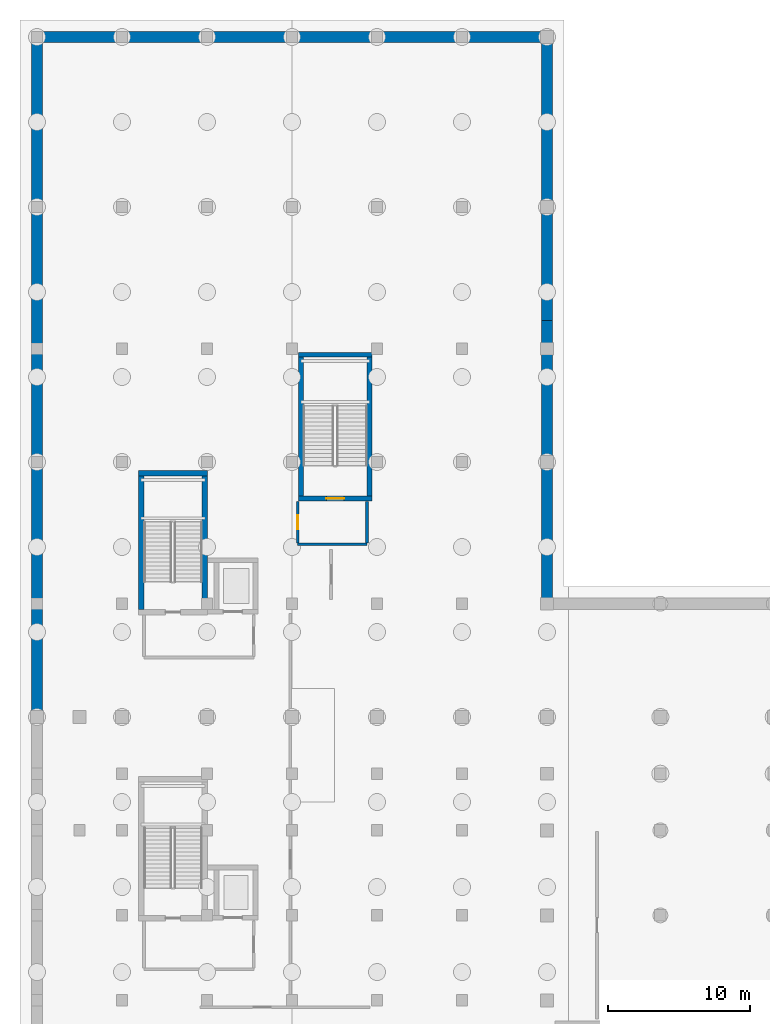
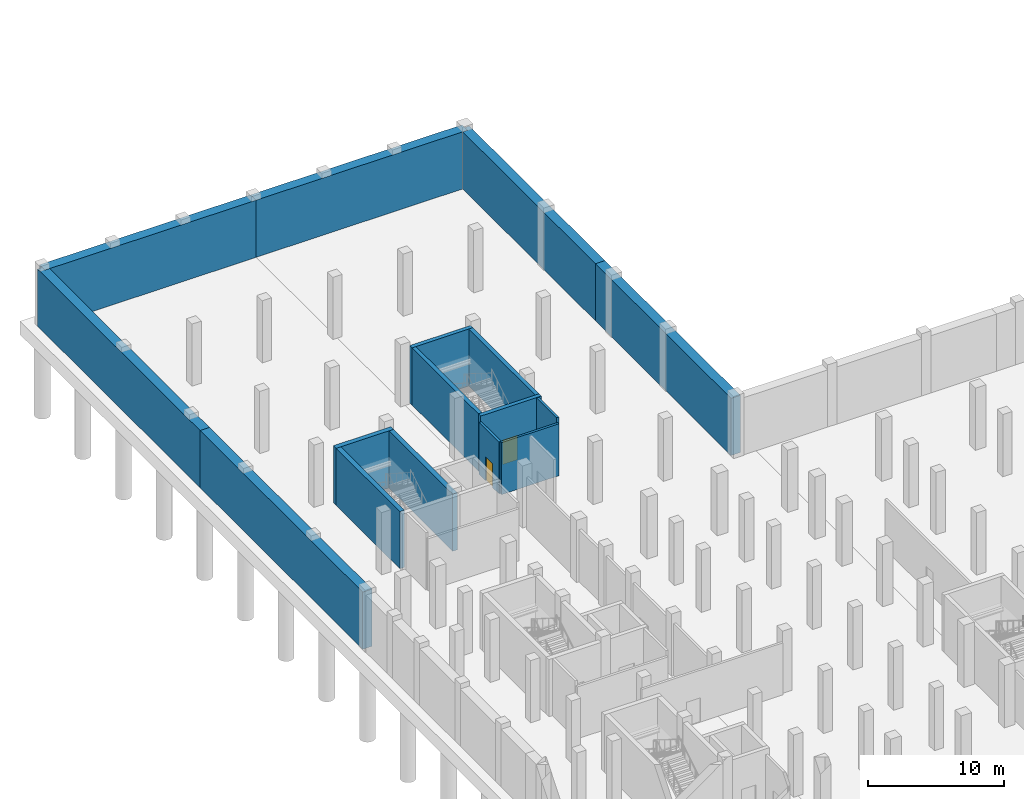
# One storey, part 16 of 26: 16 walls, 2 doors, 2 openings.
"""IFC4 building model written with IfcOpenShell, lengths in metres."""

import ifcopenshell
import ifcopenshell.guid

model = None  # the IFC model being written
_history = None  # IfcOwnerHistory: only IFC2X3 demands one
_inside = {}  # id of a spatial element -> (the spatial element, [elements in it])
_under = {}  # id of a project, library or spatial element -> (it, [spatial elements below it])
_declared = {}  # id of a project -> (the project, [libraries it declares])
_typed = {}  # id of a type object -> (the type object, [elements of that type])
_made_of = {}  # id of a material, layer set ... -> (it, [elements and type objects made of it])


def new_model(schema):
    """Start an empty IFC model of exactly this schema.

    Asked for "IFC4X3", IfcOpenShell would pick the latest addendum, in which some entities
    have other attributes; the version numbers below select the first issue.
    IFC2X3 requires an IfcOwnerHistory on every rooted entity: one is made here for all.
    """
    global model, _history
    if schema == "IFC4X3":
        model = ifcopenshell.file(schema_version=(4, 3, 0, 0))
    else:
        model = ifcopenshell.file(schema=schema)
    _inside.clear()
    _under.clear()
    _declared.clear()
    _typed.clear()
    _made_of.clear()
    _history = None
    if model.schema == "IFC2X3":
        org = make("IfcOrganization", Name="unknown")
        user = make(
            "IfcPersonAndOrganization",
            ThePerson=make("IfcPerson", FamilyName="unknown"),
            TheOrganization=org,
        )
        app = make(
            "IfcApplication",
            ApplicationDeveloper=org,
            Version="unknown",
            ApplicationFullName="unknown",
            ApplicationIdentifier="unknown",
        )
        _history = make(
            "IfcOwnerHistory",
            OwningUser=user,
            OwningApplication=app,
            ChangeAction="ADDED",
            CreationDate=0,
        )
    return model


def make(cls, **values):
    """One entity of the class cls with the attributes given. An attribute that is None is left unset."""
    return model.create_entity(
        cls, **{name: value for name, value in values.items() if value is not None}
    )


def rooted(cls, **values):
    """An entity with a GlobalId (a new one), such as an element, a storey or a relation."""
    return make(cls, GlobalId=ifcopenshell.guid.new(), OwnerHistory=_history, **values)


def si_unit(unit_type, name, prefix=None):
    """IfcSIUnit, for example si_unit("LENGTHUNIT", "METRE", prefix="MILLI")."""
    return make("IfcSIUnit", UnitType=unit_type, Prefix=prefix, Name=name)


def assignment(units):
    """IfcUnitAssignment: the units of a project."""
    return None if units is None else make("IfcUnitAssignment", Units=units)


def point(xyz):
    """IfcCartesianPoint."""
    return None if xyz is None else make("IfcCartesianPoint", Coordinates=xyz)


def direction(xyz):
    """IfcDirection."""
    return None if xyz is None else make("IfcDirection", DirectionRatios=xyz)


def frame(location, z_axis=None, x_axis=None):
    """IfcAxis2Placement3D, a coordinate frame: its origin and axes. An axis left out is left unset."""
    return make(
        "IfcAxis2Placement3D",
        Location=point(location),
        Axis=direction(z_axis),
        RefDirection=direction(x_axis),
    )


def frame_2d(location, x_axis=None):
    """IfcAxis2Placement2D, a coordinate frame in the plane: its origin and x axis."""
    return make(
        "IfcAxis2Placement2D", Location=point(location), RefDirection=direction(x_axis)
    )


def origin():
    """The frame at (0, 0, 0) with its axes left unset."""
    return frame((0.0, 0.0, 0.0))


def place(relative_to, where):
    """IfcLocalPlacement: puts the frame where relative to a parent placement (None: the world)."""
    return make(
        "IfcLocalPlacement", PlacementRelTo=relative_to, RelativePlacement=where
    )


def context(
    kind, dimensions, precision=None, world=None, true_north=None, identifier=None
):
    """IfcGeometricRepresentationContext, for example the 3D "Model" context."""
    return make(
        "IfcGeometricRepresentationContext",
        ContextIdentifier=identifier,
        ContextType=kind,
        CoordinateSpaceDimension=dimensions,
        Precision=precision,
        WorldCoordinateSystem=world,
        TrueNorth=true_north,
    )


def subcontext(parent, identifier, kind, view, scale=None):
    """IfcGeometricRepresentationSubContext, for example "Body" below "Model"."""
    return make(
        "IfcGeometricRepresentationSubContext",
        ContextIdentifier=identifier,
        ContextType=kind,
        ParentContext=parent,
        TargetScale=scale,
        TargetView=view,
    )


def project(units=None, contexts=None):
    """IfcProject with its units and contexts."""
    return rooted(
        "IfcProject",
        Name="project",
        RepresentationContexts=contexts,
        UnitsInContext=assignment(units),
    )


def spatial(cls, under=None, at=None, **own):
    """A site, building, storey or space (cls), placed at a placement, below another one or the project."""
    s = rooted(cls, ObjectPlacement=at, **own)
    if under is not None:
        _under.setdefault(under.id(), (under, []))[1].append(s)
    return s


def profile(cls, at=None, kind="AREA", **sizes):
    """A parametric profile (cls). Its sizes go by their IFC names, for example OverallWidth=200.0."""
    return make(cls, ProfileType=kind, Position=at, **sizes)


def rectangle(**sizes):
    """IfcRectangleProfileDef."""
    return profile("IfcRectangleProfileDef", **sizes)


def extrude(swept, where, along, depth):
    """IfcExtrudedAreaSolid: the profile swept, set in the frame where, extruded along a direction by depth."""
    return make(
        "IfcExtrudedAreaSolid",
        SweptArea=swept,
        Position=where,
        ExtrudedDirection=direction(along),
        Depth=depth,
    )


def shape(context_of_items, identifier, shape_type, items):
    """IfcShapeRepresentation: the items that make up one representation, for example the "Body"."""
    return make(
        "IfcShapeRepresentation",
        ContextOfItems=context_of_items,
        RepresentationIdentifier=identifier,
        RepresentationType=shape_type,
        Items=items,
    )


def material(Name=None, Category=None):
    """IfcMaterial."""
    return make("IfcMaterial", Name=Name, Category=Category)


def layer(
    of_material, thickness, ventilated=None, Name=None, Category=None, Priority=None
):
    """IfcMaterialLayer: one layer of a wall or slab, of a material (None: an air gap)."""
    return make(
        "IfcMaterialLayer",
        Material=of_material,
        LayerThickness=thickness,
        IsVentilated=ventilated,
        Name=Name,
        Category=Category,
        Priority=Priority,
    )


def layer_set(layers, Name=None):
    """IfcMaterialLayerSet."""
    return make("IfcMaterialLayerSet", MaterialLayers=layers, LayerSetName=Name)


def made_of(thing, what):
    """Note that an element or type object is made of a material, layer set ...; save() writes the relation."""
    if what is not None:
        _made_of.setdefault(what.id(), (what, []))[1].append(thing)
    return thing


def type_object(cls, material=None, **own):
    """A type object (cls), such as IfcWallType, which elements share."""
    return made_of(rooted(cls, **own), material)


def element(
    cls,
    number,
    at=None,
    inside=None,
    cuts=None,
    type_object=None,
    material=None,
    context=None,
    identifier="Body",
    shape_type=None,
    held_by="IfcProductDefinitionShape",
    body=None,
    shapes=None,
    **own,
):
    """One element of the class cls, such as IfcWall. Its Tag is "e" and its number.

    at: its placement. inside: the storey or other place that contains it. cuts: it is an
    opening in that element (IfcRelVoidsElement). A single representation is given by context,
    identifier, shape_type and body (its items); several are given by shapes. held_by: the class
    of the entity that holds the representations. save() writes the other relations.
    """
    e = rooted(cls, Tag="e%d" % number, ObjectPlacement=at, **own)
    if body is not None:
        shapes = [shape(context, identifier, shape_type, body)]
    if shapes is not None:
        e.Representation = make(held_by, Representations=shapes)
    if inside is not None:
        _inside.setdefault(inside.id(), (inside, []))[1].append(e)
    if cuts is not None:
        rooted(
            "IfcRelVoidsElement", RelatingBuildingElement=cuts, RelatedOpeningElement=e
        )
    if type_object is not None:
        _typed.setdefault(type_object.id(), (type_object, []))[1].append(e)
    return made_of(e, material)


def fill(opening, filler):
    """IfcRelFillsElement: the door or window that sits in an opening."""
    return rooted(
        "IfcRelFillsElement",
        RelatingOpeningElement=opening,
        RelatedBuildingElement=filler,
    )


def aggregate(whole, parts):
    """IfcRelAggregates: a whole, such as a stair, and the parts it consists of."""
    return rooted("IfcRelAggregates", RelatingObject=whole, RelatedObjects=parts)


def save(model, path):
    """Write the relations noted so far, then the file.

    IfcRelAggregates (storeys below a building ...), IfcRelContainedInSpatialStructure (elements
    in a storey), IfcRelDefinesByType, IfcRelAssociatesMaterial and IfcRelDeclares: one each for
    every whole, place, type object, material and project.
    """
    for whole, parts in _under.values():
        aggregate(whole, parts)
    for where, things in _inside.values():
        rooted(
            "IfcRelContainedInSpatialStructure",
            RelatedElements=things,
            RelatingStructure=where,
        )
    for kind, things in _typed.values():
        rooted("IfcRelDefinesByType", RelatedObjects=things, RelatingType=kind)
    for what, things in _made_of.values():
        rooted("IfcRelAssociatesMaterial", RelatedObjects=things, RelatingMaterial=what)
    for by, libraries in _declared.values():
        rooted("IfcRelDeclares", RelatingContext=by, RelatedDefinitions=libraries)
    model.write(path)


model = new_model("IFC4")

# Units and contexts
model_context = context("Model", 3, precision=1e-05, world=origin(), true_north=direction((0.0, 1.0)))
body_context = subcontext(model_context, "Body", "Model", "MODEL_VIEW")
ifc_project = project(units=[si_unit("LENGTHUNIT", "METRE"), si_unit("AREAUNIT", "SQUARE_METRE"), si_unit("VOLUMEUNIT", "CUBIC_METRE"), si_unit("PLANEANGLEUNIT", "RADIAN"), si_unit("MASSUNIT", "GRAM", prefix="KILO")], contexts=[model_context])

# Site, building, storey
site_placement = place(None, origin())
site = spatial("IfcSite", under=ifc_project, at=site_placement, CompositionType="ELEMENT")
building_placement = place(site_placement, origin())
building = spatial("IfcBuilding", under=site, at=building_placement, Name="Verrall Gate Interchange", CompositionType="ELEMENT")
storey_placement = place(building_placement, frame((0.0, 0.0, -10.39990234375)))
storey = spatial("IfcBuildingStorey", under=building, at=storey_placement, Name="B2", CompositionType="ELEMENT", Elevation=-10.39990234375)

# Wall
ifc_material_1 = material(Name="Fire-Rated Type X Gypsum Stud Partition Assembly (60 min)", Category="gypsum")
ifc_layer_1 = layer(ifc_material_1, 0.199951171875)
ifc_layer_set_1 = layer_set([ifc_layer_1], Name="Fire-Rated Type X Gypsum Stud Partition Assembly (60 min)")
wall_type_1 = type_object("IfcWallType", Name="IW-01 Interior Partition Wall 200", PredefinedType="PARTITIONING", material=ifc_layer_set_1)
wall_1_placement = place(storey_placement, frame((18.39990234375, 60.199951171875, 0.0), z_axis=(0.0, 0.0, 1.0), x_axis=(1.0, 0.0, 0.0)))
element("IfcWall", 1, at=wall_1_placement, inside=storey, type_object=wall_type_1, Name="B2 Core C4 Lobby South Rated Wall", PredefinedType="PARTITIONING", context=body_context, shape_type="SweptSolid", body=[
    extrude(rectangle(XDim=4.900146484375, YDim=0.199951171875, at=frame_2d((2.4501953125, 0.0))), origin(), (0.0, 0.0, 1.0), 4.679931640625),
])

# Wall, opening, door
wall_2_placement = place(storey_placement, frame((18.39990234375, 63.199951171875, 0.0), z_axis=(0.0, 0.0, 1.0), x_axis=(0.0, -1.0, 0.0)))
wall_2 = element("IfcWall", 2, at=wall_2_placement, inside=storey, type_object=wall_type_1, Name="B2 Core C4 Lobby West Rated Wall", PredefinedType="PARTITIONING", context=body_context, shape_type="SweptSolid", body=[
    extrude(rectangle(XDim=2.919921875, YDim=0.199951171875, at=frame_2d((1.4599609375, 0.0))), origin(), (0.0, 0.0, 1.0), 4.679931640625),
])
opening_1_placement = place(wall_2_placement, frame((0.9599609375, 0.0, 0.0)))
opening_1 = element("IfcOpeningElement", 3, at=opening_1_placement, cuts=wall_2, Name="Opening LBD057", PredefinedType="OPENING", context=body_context, shape_type="SweptSolid", body=[
    extrude(rectangle(XDim=1.0, YDim=2.14990234375, at=frame_2d((0.5, 1.074951171875))), frame((0.0, 0.11474609375, 0.0), z_axis=(0.0, -1.0, 0.0), x_axis=(1.0, 0.0, 0.0)), (0.0, 0.0, 1.0), 0.229736328125),
])
ifc_material_2 = material(Name="Hollow-Metal Fire-Rated Door Assembly", Category="metal")
door_type_1 = type_object("IfcDoorType", Name="ID-05 Interior Swing Door 1000x2150", OperationType="NOTDEFINED", PredefinedType="DOOR", material=ifc_material_2)
door_1_placement = place(opening_1_placement, origin())
door_1 = element("IfcDoor", 4, at=door_1_placement, inside=storey, type_object=door_type_1, Name="B2 Core C4 Lobby Fire Door LBD057", OperationType="SINGLE_SWING_LEFT", OverallHeight=2.14990234375, OverallWidth=1.0, PredefinedType="DOOR", context=body_context, shape_type="SweptSolid", body=[
    extrude(rectangle(XDim=1.0, YDim=2.14990234375, at=frame_2d((0.5, 1.074951171875))), frame((0.0, 0.02490234375, 0.0), z_axis=(0.0, -1.0, 0.0), x_axis=(1.0, 0.0, 0.0)), (0.0, 0.0, 1.0), 0.050048828125),
])
fill(opening_1, door_1)

# Walls
wall_3_placement = place(storey_placement, frame((23.300048828125, 60.280029296875, 0.0), z_axis=(0.0, 0.0, 1.0), x_axis=(0.0, 1.0, 0.0)))
element("IfcWall", 5, at=wall_3_placement, inside=storey, type_object=wall_type_1, Name="B2 Core C4 Lobby East Rated Wall", PredefinedType="PARTITIONING", context=body_context, shape_type="SweptSolid", body=[
    extrude(rectangle(XDim=2.919921875, YDim=0.199951171875, at=frame_2d((1.4599609375, 0.0))), origin(), (0.0, 0.0, 1.0), 5.14990234375),
])
ifc_material_3 = material(Name="Concrete CSA A23.1 35 MPa (Class S-2)", Category="concrete")
ifc_layer_2 = layer(ifc_material_3, 0.800048828125)
ifc_layer_set_2 = layer_set([ifc_layer_2], Name="Concrete CSA A23.1 35 MPa (Class S-2)")
wall_type_2 = type_object("IfcWallType", Name="RW-01 Diaphragm Retaining Wall 800", PredefinedType="USERDEFINED", material=ifc_layer_set_2)
for number, where, z_axis, x_axis, name in (
    (6, (36.0, 56.0, 0.0), (0.0, 0.0, 1.0), (0.0, 1.0, 0.0), "B2 Diaphragm Retaining Wall 017"),
    (7, (36.0, 76.0, 0.0), (0.0, 0.0, 1.0), (0.0, 1.0, 0.0), "B2 Diaphragm Retaining Wall 018"),
):
    element("IfcWall", number, at=place(storey_placement, frame(where, z_axis=z_axis, x_axis=x_axis)), inside=storey, type_object=wall_type_2, Name=name, ObjectType="RETAININGWALL", PredefinedType="USERDEFINED", context=body_context, shape_type="SweptSolid", body=[
        extrude(rectangle(XDim=20.0, YDim=0.800048828125, at=frame_2d((10.0, 0.0))), origin(), (0.0, 0.0, 1.0), 5.14990234375),
    ])
for number, where, z_axis, x_axis, name in (
    (8, (36.0, 96.0, 0.0), (0.0, 0.0, 1.0), (-1.0, 0.0, 0.0), "B2 Diaphragm Retaining Wall 019"),
    (9, (18.0, 96.0, 0.0), (0.0, 0.0, 1.0), (-1.0, 0.0, 0.0), "B2 Diaphragm Retaining Wall 020"),
):
    element("IfcWall", number, at=place(storey_placement, frame(where, z_axis=z_axis, x_axis=x_axis)), inside=storey, type_object=wall_type_2, Name=name, ObjectType="RETAININGWALL", PredefinedType="USERDEFINED", context=body_context, shape_type="SweptSolid", body=[
        extrude(rectangle(XDim=18.0, YDim=0.800048828125, at=frame_2d((9.0, 0.0))), origin(), (0.0, 0.0, 1.0), 5.14990234375),
    ])
for number, where, z_axis, x_axis, name in (
    (10, (0.0, 96.0, 0.0), (0.0, 0.0, 1.0), (0.0, -1.0, 0.0), "B2 Diaphragm Retaining Wall 021"),
    (11, (0.0, 72.0, 0.0), (0.0, 0.0, 1.0), (0.0, -1.0, 0.0), "B2 Diaphragm Retaining Wall 022"),
):
    element("IfcWall", number, at=place(storey_placement, frame(where, z_axis=z_axis, x_axis=x_axis)), inside=storey, type_object=wall_type_2, Name=name, ObjectType="RETAININGWALL", PredefinedType="USERDEFINED", context=body_context, shape_type="SweptSolid", body=[
        extrude(rectangle(XDim=24.0, YDim=0.800048828125, at=frame_2d((12.0, 0.0))), origin(), (0.0, 0.0, 1.0), 5.14990234375),
    ])
ifc_material_4 = material(Name="Concrete CSA A23.1 40 MPa (Class N)", Category="concrete")
ifc_layer_3 = layer(ifc_material_4, 0.39990234375)
ifc_layer_set_3 = layer_set([ifc_layer_3], Name="Concrete CSA A23.1 40 MPa (Class N)")
wall_type_3 = type_object("IfcWallType", Name="SW-01 Core Shear Wall 400", PredefinedType="SHEAR", material=ifc_layer_set_3)
wall_4_placement = place(storey_placement, frame((12.050048828125, 65.199951171875, 0.0), z_axis=(0.0, 0.0, 1.0), x_axis=(-1.0, 0.0, 0.0)))
element("IfcWall", 12, at=wall_4_placement, inside=storey, type_object=wall_type_3, Name="B2 Core C3 North Shear Wall", PredefinedType="SHEAR", context=body_context, shape_type="SweptSolid", body=[
    extrude(rectangle(XDim=4.900146484375, YDim=0.39990234375, at=frame_2d((2.4501953125, 0.0))), origin(), (0.0, 0.0, 1.0), 5.14990234375),
])
for number, where, z_axis, x_axis, name in (
    (13, (7.35009765625, 65.0, 0.0), (0.0, 0.0, 1.0), (0.0, -1.0, 0.0), "B2 Core C3 West Shear Wall"),
    (14, (11.85009765625, 55.60009765625, 0.0), (0.0, 0.0, 1.0), (0.0, 1.0, 0.0), "B2 Core C3 East Shear Wall"),
):
    element("IfcWall", number, at=place(storey_placement, frame(where, z_axis=z_axis, x_axis=x_axis)), inside=storey, type_object=wall_type_3, Name=name, PredefinedType="SHEAR", context=body_context, shape_type="SweptSolid", body=[
        extrude(rectangle(XDim=9.39990234375, YDim=0.39990234375, at=frame_2d((4.699951171875, 0.0))), origin(), (0.0, 0.0, 1.0), 5.14990234375),
    ])

# Wall, opening, door
ifc_material_5 = material(Name="Concrete CSA A23.1 40 MPa (Class N)", Category="concrete")
ifc_layer_4 = layer(ifc_material_5, 0.340087890625)
ifc_layer_set_4 = layer_set([ifc_layer_4], Name="Concrete CSA A23.1 40 MPa (Class N)")
wall_type_4 = type_object("IfcWallType", Name="SW-02 Core Shear Wall 340", PredefinedType="SHEAR", material=ifc_layer_set_4)
wall_5_placement = place(storey_placement, frame((18.4599609375, 63.429931640625, 0.0), z_axis=(0.0, 0.0, 1.0), x_axis=(1.0, 0.0, 0.0)))
wall_5 = element("IfcWall", 15, at=wall_5_placement, inside=storey, type_object=wall_type_4, Name="B2 Core C4 South Shear Wall", PredefinedType="SHEAR", context=body_context, shape_type="SweptSolid", body=[
    extrude(rectangle(XDim=5.179931640625, YDim=0.340087890625, at=frame_2d((2.58984375, 0.0))), origin(), (0.0, 0.0, 1.0), 5.14990234375),
])
opening_2_placement = place(wall_5_placement, frame((1.965087890625, 0.0, 0.0)))
opening_2 = element("IfcOpeningElement", 16, at=opening_2_placement, cuts=wall_5, Name="Opening SD051", PredefinedType="OPENING", context=body_context, shape_type="SweptSolid", body=[
    extrude(rectangle(XDim=1.25, YDim=2.199951171875, at=frame_2d((0.625, 1.10009765625))), frame((0.0, 0.18505859375, 0.0), z_axis=(0.0, -1.0, 0.0), x_axis=(1.0, 0.0, 0.0)), (0.0, 0.0, 1.0), 0.369873046875),
])
ifc_material_6 = material(Name="Hollow-Metal Fire-Rated Door Assembly", Category="metal")
door_type_2 = type_object("IfcDoorType", Name="ID-03 Interior Swing Door 1250x2200", OperationType="NOTDEFINED", PredefinedType="DOOR", material=ifc_material_6)
door_2_placement = place(opening_2_placement, origin())
door_2 = element("IfcDoor", 17, at=door_2_placement, inside=storey, type_object=door_type_2, Name="B2 Stair ST-04 Fire Door SD051", OperationType="SINGLE_SWING_LEFT", OverallHeight=2.199951171875, OverallWidth=1.25, PredefinedType="DOOR", context=body_context, shape_type="SweptSolid", body=[
    extrude(rectangle(XDim=1.25, YDim=2.199951171875, at=frame_2d((0.625, 1.10009765625))), frame((0.0, 0.02490234375, 0.0), z_axis=(0.0, -1.0, 0.0), x_axis=(1.0, 0.0, 0.0)), (0.0, 0.0, 1.0), 0.050048828125),
])
fill(opening_2, door_2)

# Walls
wall_6_placement = place(storey_placement, frame((23.639892578125, 73.570068359375, 0.0), z_axis=(0.0, 0.0, 1.0), x_axis=(-1.0, 0.0, 0.0)))
element("IfcWall", 18, at=wall_6_placement, inside=storey, type_object=wall_type_4, Name="B2 Core C4 North Shear Wall", PredefinedType="SHEAR", context=body_context, shape_type="SweptSolid", body=[
    extrude(rectangle(XDim=5.179931640625, YDim=0.340087890625, at=frame_2d((2.58984375, 0.0))), origin(), (0.0, 0.0, 1.0), 5.14990234375),
])
for number, where, z_axis, x_axis, name in (
    (19, (18.6298828125, 73.39990234375, 0.0), (0.0, 0.0, 1.0), (0.0, -1.0, 0.0), "B2 Core C4 West Shear Wall"),
    (20, (23.469970703125, 63.60009765625, 0.0), (0.0, 0.0, 1.0), (0.0, 1.0, 0.0), "B2 Core C4 East Shear Wall"),
):
    element("IfcWall", number, at=place(storey_placement, frame(where, z_axis=z_axis, x_axis=x_axis)), inside=storey, type_object=wall_type_4, Name=name, PredefinedType="SHEAR", context=body_context, shape_type="SweptSolid", body=[
        extrude(rectangle(XDim=9.7998046875, YDim=0.340087890625, at=frame_2d((4.89990234375, 0.0))), origin(), (0.0, 0.0, 1.0), 5.14990234375),
    ])

save(model, "model.ifc")
